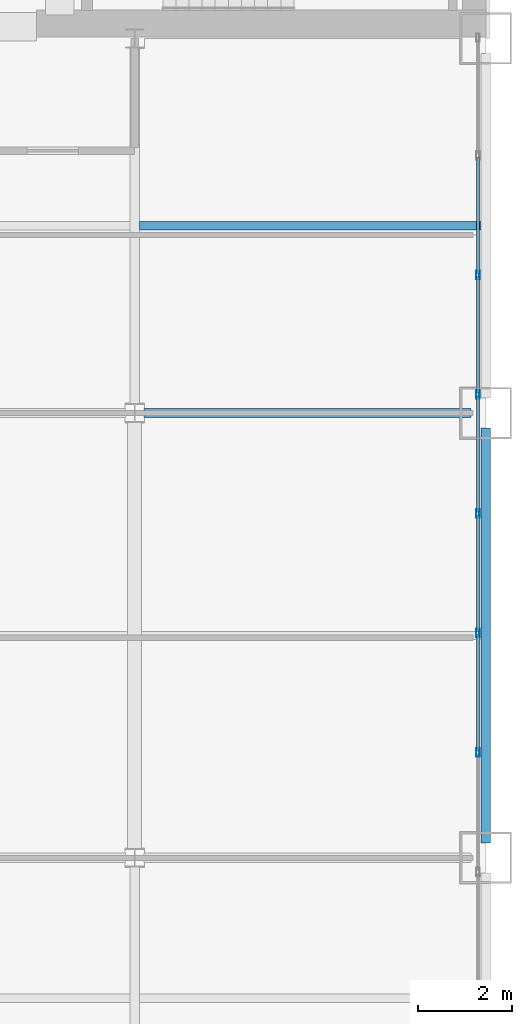
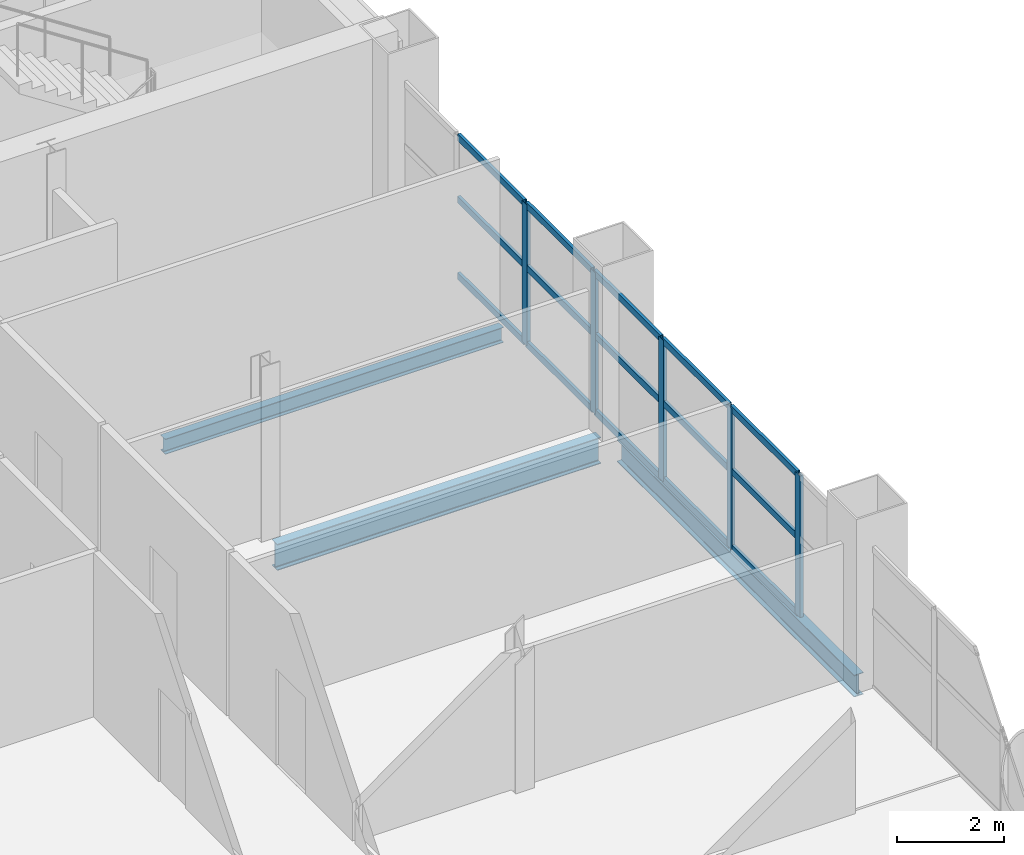
# One storey, part 7 of 16: 20 members, 3 beams, 1 element without a shape of its own.
"""IFC4 building model written with IfcOpenShell, lengths in metres."""

from ifc_helpers import new_model, si_unit, direction, frame, origin, origin_2d, place, context, subcontext, project, spatial, hollow_rectangle, i_section, extrude, material, layer, layer_set, material_profile, profile_set, type_object, element, aggregate, save


model = new_model("IFC4")

# Units and contexts
model_context = context("Model", 3, precision=1e-05, world=origin(), true_north=direction((0.0, 1.0)))
body_context = subcontext(model_context, "Body", "Model", "MODEL_VIEW")
ifc_project = project(units=[si_unit("LENGTHUNIT", "METRE"), si_unit("AREAUNIT", "SQUARE_METRE"), si_unit("VOLUMEUNIT", "CUBIC_METRE"), si_unit("PLANEANGLEUNIT", "RADIAN"), si_unit("MASSUNIT", "GRAM", prefix="KILO")], contexts=[model_context])

# Site, building, storey
site_placement = place(None, origin())
site = spatial("IfcSite", under=ifc_project, at=site_placement, CompositionType="ELEMENT")
building_placement = place(site_placement, origin())
building = spatial("IfcBuilding", under=site, at=building_placement, Name="Qianrong Seaharbour Tower", CompositionType="ELEMENT")
storey_placement = place(building_placement, frame((0.0, 0.0, 123.0)))
storey = spatial("IfcBuildingStorey", under=building, at=storey_placement, Name="L29", CompositionType="ELEMENT", Elevation=123.0)

# Beams
ifc_material_1 = material(Name="Structural steel SN490B", Category="steel")
ifc_material_profile_1 = material_profile(ifc_material_1, i_section(OverallWidth=0.199951171875, OverallDepth=0.60009765625, WebThickness=0.010986328125, FlangeThickness=0.01708984375, FilletRadius=0.02197265625, at=origin_2d()), Name="H600x200x11x17")
ifc_profile_set_1 = profile_set([ifc_material_profile_1], Name="Structural steel SN490B")
beam_type_1 = type_object("IfcBeamType", Name="BM-G-600", PredefinedType="BEAM", material=ifc_profile_set_1)
beam_1_placement = place(storey_placement, frame((56.699951171875, 28.0, -0.534912109375), z_axis=(1.0, 0.0, 0.0), x_axis=(0.0, 1.0, 0.0)))
element("IfcBeam", 1, at=beam_1_placement, inside=storey, type_object=beam_type_1, Name="L29 Primary Girder GE G8-G9", PredefinedType="BEAM", context=body_context, shape_type="SweptSolid", body=[
    extrude(i_section(OverallWidth=0.199951171875, OverallDepth=0.60009765625, WebThickness=0.010986328125, FlangeThickness=0.01708984375, FilletRadius=0.02197265625, at=origin_2d()), origin(), (0.0, 0.0, 1.0), 6.97998046875),
])
ifc_material_2 = material(Name="Structural steel SN400B", Category="steel")
ifc_material_profile_2 = material_profile(ifc_material_2, i_section(OverallWidth=0.175048828125, OverallDepth=0.35009765625, WebThickness=0.007080078125, FlangeThickness=0.010986328125, FilletRadius=0.013916015625, at=origin_2d()), Name="H350x175x7x11")
ifc_profile_set_2 = profile_set([ifc_material_profile_2], Name="Structural steel SN400B")
beam_type_2 = type_object("IfcBeamType", Name="BM-J-350", PredefinedType="JOIST", material=ifc_profile_set_2)
beam_2_placement = place(storey_placement, frame((56.60009765625, 32.0, -0.409912109375), z_axis=(1.0, 0.0, 0.0), x_axis=(0.0, 1.0, 0.0)))
element("IfcBeam", 2, at=beam_2_placement, inside=storey, type_object=beam_type_2, Name="L29 Composite Floor Joist G8-G9/GE-GF", PredefinedType="JOIST", context=body_context, shape_type="SweptSolid", body=[
    extrude(i_section(OverallWidth=0.175048828125, OverallDepth=0.35009765625, WebThickness=0.007080078125, FlangeThickness=0.010986328125, FilletRadius=0.013916015625, at=origin_2d()), origin(), (0.0, 0.0, 1.0), 7.2998046875),
])
ifc_material_profile_3 = material_profile(ifc_material_1, i_section(OverallWidth=0.199951171875, OverallDepth=0.5, WebThickness=0.010009765625, FlangeThickness=0.01611328125, FilletRadius=0.02001953125, at=origin_2d()), Name="H500x200x10x16")
ifc_profile_set_3 = profile_set([ifc_material_profile_3], Name="Structural steel SN490B")
beam_type_3 = type_object("IfcBeamType", Name="BM-SP-500", PredefinedType="SPANDREL", material=ifc_profile_set_3)
beam_3_placement = place(storey_placement, frame((64.0, 18.820068359375, -0.485107421875), z_axis=(0.0, 1.0, 0.0), x_axis=(-1.0, 0.0, 0.0)))
element("IfcBeam", 3, at=beam_3_placement, inside=storey, type_object=beam_type_3, Name="L29 Spandrel Girder G9 GD-GE", PredefinedType="SPANDREL", context=body_context, shape_type="SweptSolid", body=[
    extrude(i_section(OverallWidth=0.199951171875, OverallDepth=0.5, WebThickness=0.010009765625, FlangeThickness=0.01611328125, FilletRadius=0.02001953125, at=origin_2d()), origin(), (0.0, 0.0, 1.0), 8.85986328125),
])

# Curtain wall, members
ifc_material_3 = material(Name="Anodised aluminium 6063-T6 and laminated low-e glass", Category="aluminium")
ifc_layer = layer(ifc_material_3, 0.195068359375)
ifc_layer_set = layer_set([ifc_layer], Name="Anodised aluminium 6063-T6 and laminated low-e glass")
curtain_wall_type = type_object("IfcCurtainWallType", Name="CW-SYS-3", PredefinedType="NOTDEFINED", material=ifc_layer_set)
curtain_wall_placement = place(storey_placement, origin())
curtain_wall = element("IfcCurtainWall", 4, at=curtain_wall_placement, inside=storey, type_object=curtain_wall_type, Name="L29 Sky-Garden Wintergarden Curtain Wall EAST_WING", PredefinedType="NOTDEFINED")
ifc_material_4 = material(Name="Extruded aluminium 6063-T6", Category="aluminium")
ifc_material_profile_4 = material_profile(ifc_material_4, hollow_rectangle(XDim=0.070068359375, YDim=0.179931640625, WallThickness=0.00390625, at=origin_2d()), Name="ALU-MUL-180x70x4")
ifc_profile_set_4 = profile_set([ifc_material_profile_4], Name="Extruded aluminium 6063-T6")
member_type_1 = type_object("IfcMemberType", Name="CW-MUL-180", PredefinedType="MULLION", material=ifc_profile_set_4)
member_1_placement = place(storey_placement, frame((63.830078125, 30.949951171875, 0.0), z_axis=(0.0, 0.0, 1.0), x_axis=(1.0, 0.0, 0.0)))
member_1 = element("IfcMember", 5, at=member_1_placement, type_object=member_type_1, Name="CW-3 mullion 3", PredefinedType="MULLION", context=body_context, shape_type="SweptSolid", body=[
    extrude(hollow_rectangle(XDim=0.070068359375, YDim=0.179931640625, WallThickness=0.00390625, at=origin_2d()), origin(), (0.0, 0.0, 1.0), 3.22509765625),
])
member_2_placement = place(storey_placement, frame((63.830078125, 28.39990234375, 0.0), z_axis=(0.0, 0.0, 1.0), x_axis=(1.0, 0.0, 0.0)))
member_2 = element("IfcMember", 6, at=member_2_placement, type_object=member_type_1, Name="CW-3 mullion 4", PredefinedType="MULLION", context=body_context, shape_type="SweptSolid", body=[
    extrude(hollow_rectangle(XDim=0.070068359375, YDim=0.179931640625, WallThickness=0.00390625, at=origin_2d()), origin(), (0.0, 0.0, 1.0), 3.22509765625),
])
member_3_placement = place(storey_placement, frame((63.830078125, 25.85009765625, 0.0), z_axis=(0.0, 0.0, 1.0), x_axis=(1.0, 0.0, 0.0)))
member_3 = element("IfcMember", 7, at=member_3_placement, type_object=member_type_1, Name="CW-3 mullion 5", PredefinedType="MULLION", context=body_context, shape_type="SweptSolid", body=[
    extrude(hollow_rectangle(XDim=0.070068359375, YDim=0.179931640625, WallThickness=0.00390625, at=origin_2d()), origin(), (0.0, 0.0, 1.0), 3.22509765625),
])
member_4_placement = place(storey_placement, frame((63.830078125, 23.300048828125, 0.0), z_axis=(0.0, 0.0, 1.0), x_axis=(1.0, 0.0, 0.0)))
member_4 = element("IfcMember", 8, at=member_4_placement, type_object=member_type_1, Name="CW-3 mullion 6", PredefinedType="MULLION", context=body_context, shape_type="SweptSolid", body=[
    extrude(hollow_rectangle(XDim=0.070068359375, YDim=0.179931640625, WallThickness=0.00390625, at=origin_2d()), origin(), (0.0, 0.0, 1.0), 3.22509765625),
])
member_5_placement = place(storey_placement, frame((63.830078125, 20.75, 0.0), z_axis=(0.0, 0.0, 1.0), x_axis=(1.0, 0.0, 0.0)))
member_5 = element("IfcMember", 9, at=member_5_placement, type_object=member_type_1, Name="CW-3 mullion 7", PredefinedType="MULLION", context=body_context, shape_type="SweptSolid", body=[
    extrude(hollow_rectangle(XDim=0.070068359375, YDim=0.179931640625, WallThickness=0.00390625, at=origin_2d()), origin(), (0.0, 0.0, 1.0), 3.22509765625),
])
ifc_material_profile_5 = material_profile(ifc_material_4, hollow_rectangle(XDim=0.06494140625, YDim=0.14990234375, WallThickness=0.00390625, at=origin_2d()), Name="ALU-TRN-150x65x4")
ifc_profile_set_5 = profile_set([ifc_material_profile_5], Name="Extruded aluminium 6063-T6")
member_type_2 = type_object("IfcMemberType", Name="CW-TRN-150", PredefinedType="USERDEFINED", material=ifc_profile_set_5)
member_6_placement = place(storey_placement, frame((63.830078125, 33.465087890625, 0.032470703125), z_axis=(0.0, -1.0, 0.0), x_axis=(1.0, 0.0, 0.0)))
member_6 = element("IfcMember", 10, at=member_6_placement, type_object=member_type_2, Name="CW-3 transom 2.1", ObjectType="TRANSOM", PredefinedType="USERDEFINED", context=body_context, shape_type="SweptSolid", body=[
    extrude(hollow_rectangle(XDim=0.06494140625, YDim=0.14990234375, WallThickness=0.00390625, at=origin_2d()), origin(), (0.0, 0.0, 1.0), 2.47998046875),
])
member_7_placement = place(storey_placement, frame((63.830078125, 33.465087890625, 1.773681640625), z_axis=(0.0, -1.0, 0.0), x_axis=(1.0, 0.0, 0.0)))
member_7 = element("IfcMember", 11, at=member_7_placement, type_object=member_type_2, Name="CW-3 transom 2.2", ObjectType="TRANSOM", PredefinedType="USERDEFINED", context=body_context, shape_type="SweptSolid", body=[
    extrude(hollow_rectangle(XDim=0.06494140625, YDim=0.14990234375, WallThickness=0.00390625, at=origin_2d()), origin(), (0.0, 0.0, 1.0), 2.47998046875),
])
member_8_placement = place(storey_placement, frame((63.830078125, 33.465087890625, 3.1923828125), z_axis=(0.0, -1.0, 0.0), x_axis=(1.0, 0.0, 0.0)))
member_8 = element("IfcMember", 12, at=member_8_placement, type_object=member_type_2, Name="CW-3 transom 2.3", ObjectType="TRANSOM", PredefinedType="USERDEFINED", context=body_context, shape_type="SweptSolid", body=[
    extrude(hollow_rectangle(XDim=0.06494140625, YDim=0.14990234375, WallThickness=0.00390625, at=origin_2d()), origin(), (0.0, 0.0, 1.0), 2.47998046875),
])
member_9_placement = place(storey_placement, frame((63.830078125, 30.9150390625, 0.032470703125), z_axis=(0.0, -1.0, 0.0), x_axis=(1.0, 0.0, 0.0)))
member_9 = element("IfcMember", 13, at=member_9_placement, type_object=member_type_2, Name="CW-3 transom 3.1", ObjectType="TRANSOM", PredefinedType="USERDEFINED", context=body_context, shape_type="SweptSolid", body=[
    extrude(hollow_rectangle(XDim=0.06494140625, YDim=0.14990234375, WallThickness=0.00390625, at=origin_2d()), origin(), (0.0, 0.0, 1.0), 2.47998046875),
])
member_10_placement = place(storey_placement, frame((63.830078125, 30.9150390625, 1.773681640625), z_axis=(0.0, -1.0, 0.0), x_axis=(1.0, 0.0, 0.0)))
member_10 = element("IfcMember", 14, at=member_10_placement, type_object=member_type_2, Name="CW-3 transom 3.2", ObjectType="TRANSOM", PredefinedType="USERDEFINED", context=body_context, shape_type="SweptSolid", body=[
    extrude(hollow_rectangle(XDim=0.06494140625, YDim=0.14990234375, WallThickness=0.00390625, at=origin_2d()), origin(), (0.0, 0.0, 1.0), 2.47998046875),
])
member_11_placement = place(storey_placement, frame((63.830078125, 30.9150390625, 3.1923828125), z_axis=(0.0, -1.0, 0.0), x_axis=(1.0, 0.0, 0.0)))
member_11 = element("IfcMember", 15, at=member_11_placement, type_object=member_type_2, Name="CW-3 transom 3.3", ObjectType="TRANSOM", PredefinedType="USERDEFINED", context=body_context, shape_type="SweptSolid", body=[
    extrude(hollow_rectangle(XDim=0.06494140625, YDim=0.14990234375, WallThickness=0.00390625, at=origin_2d()), origin(), (0.0, 0.0, 1.0), 2.47998046875),
])
member_12_placement = place(storey_placement, frame((63.830078125, 28.364990234375, 0.032470703125), z_axis=(0.0, -1.0, 0.0), x_axis=(1.0, 0.0, 0.0)))
member_12 = element("IfcMember", 16, at=member_12_placement, type_object=member_type_2, Name="CW-3 transom 4.1", ObjectType="TRANSOM", PredefinedType="USERDEFINED", context=body_context, shape_type="SweptSolid", body=[
    extrude(hollow_rectangle(XDim=0.06494140625, YDim=0.14990234375, WallThickness=0.00390625, at=origin_2d()), origin(), (0.0, 0.0, 1.0), 2.47998046875),
])
member_13_placement = place(storey_placement, frame((63.830078125, 28.364990234375, 1.773681640625), z_axis=(0.0, -1.0, 0.0), x_axis=(1.0, 0.0, 0.0)))
member_13 = element("IfcMember", 17, at=member_13_placement, type_object=member_type_2, Name="CW-3 transom 4.2", ObjectType="TRANSOM", PredefinedType="USERDEFINED", context=body_context, shape_type="SweptSolid", body=[
    extrude(hollow_rectangle(XDim=0.06494140625, YDim=0.14990234375, WallThickness=0.00390625, at=origin_2d()), origin(), (0.0, 0.0, 1.0), 2.47998046875),
])
member_14_placement = place(storey_placement, frame((63.830078125, 28.364990234375, 3.1923828125), z_axis=(0.0, -1.0, 0.0), x_axis=(1.0, 0.0, 0.0)))
member_14 = element("IfcMember", 18, at=member_14_placement, type_object=member_type_2, Name="CW-3 transom 4.3", ObjectType="TRANSOM", PredefinedType="USERDEFINED", context=body_context, shape_type="SweptSolid", body=[
    extrude(hollow_rectangle(XDim=0.06494140625, YDim=0.14990234375, WallThickness=0.00390625, at=origin_2d()), origin(), (0.0, 0.0, 1.0), 2.47998046875),
])
member_15_placement = place(storey_placement, frame((63.830078125, 25.81494140625, 0.032470703125), z_axis=(0.0, -1.0, 0.0), x_axis=(1.0, 0.0, 0.0)))
member_15 = element("IfcMember", 19, at=member_15_placement, type_object=member_type_2, Name="CW-3 transom 5.1", ObjectType="TRANSOM", PredefinedType="USERDEFINED", context=body_context, shape_type="SweptSolid", body=[
    extrude(hollow_rectangle(XDim=0.06494140625, YDim=0.14990234375, WallThickness=0.00390625, at=origin_2d()), origin(), (0.0, 0.0, 1.0), 2.47998046875),
])
member_16_placement = place(storey_placement, frame((63.830078125, 25.81494140625, 1.773681640625), z_axis=(0.0, -1.0, 0.0), x_axis=(1.0, 0.0, 0.0)))
member_16 = element("IfcMember", 20, at=member_16_placement, type_object=member_type_2, Name="CW-3 transom 5.2", ObjectType="TRANSOM", PredefinedType="USERDEFINED", context=body_context, shape_type="SweptSolid", body=[
    extrude(hollow_rectangle(XDim=0.06494140625, YDim=0.14990234375, WallThickness=0.00390625, at=origin_2d()), origin(), (0.0, 0.0, 1.0), 2.47998046875),
])
member_17_placement = place(storey_placement, frame((63.830078125, 25.81494140625, 3.1923828125), z_axis=(0.0, -1.0, 0.0), x_axis=(1.0, 0.0, 0.0)))
member_17 = element("IfcMember", 21, at=member_17_placement, type_object=member_type_2, Name="CW-3 transom 5.3", ObjectType="TRANSOM", PredefinedType="USERDEFINED", context=body_context, shape_type="SweptSolid", body=[
    extrude(hollow_rectangle(XDim=0.06494140625, YDim=0.14990234375, WallThickness=0.00390625, at=origin_2d()), origin(), (0.0, 0.0, 1.0), 2.47998046875),
])
member_18_placement = place(storey_placement, frame((63.830078125, 23.264892578125, 0.032470703125), z_axis=(0.0, -1.0, 0.0), x_axis=(1.0, 0.0, 0.0)))
member_18 = element("IfcMember", 22, at=member_18_placement, type_object=member_type_2, Name="CW-3 transom 6.1", ObjectType="TRANSOM", PredefinedType="USERDEFINED", context=body_context, shape_type="SweptSolid", body=[
    extrude(hollow_rectangle(XDim=0.06494140625, YDim=0.14990234375, WallThickness=0.00390625, at=origin_2d()), origin(), (0.0, 0.0, 1.0), 2.47998046875),
])
member_19_placement = place(storey_placement, frame((63.830078125, 23.264892578125, 1.773681640625), z_axis=(0.0, -1.0, 0.0), x_axis=(1.0, 0.0, 0.0)))
member_19 = element("IfcMember", 23, at=member_19_placement, type_object=member_type_2, Name="CW-3 transom 6.2", ObjectType="TRANSOM", PredefinedType="USERDEFINED", context=body_context, shape_type="SweptSolid", body=[
    extrude(hollow_rectangle(XDim=0.06494140625, YDim=0.14990234375, WallThickness=0.00390625, at=origin_2d()), origin(), (0.0, 0.0, 1.0), 2.47998046875),
])
member_20_placement = place(storey_placement, frame((63.830078125, 23.264892578125, 3.1923828125), z_axis=(0.0, -1.0, 0.0), x_axis=(1.0, 0.0, 0.0)))
member_20 = element("IfcMember", 24, at=member_20_placement, type_object=member_type_2, Name="CW-3 transom 6.3", ObjectType="TRANSOM", PredefinedType="USERDEFINED", context=body_context, shape_type="SweptSolid", body=[
    extrude(hollow_rectangle(XDim=0.06494140625, YDim=0.14990234375, WallThickness=0.00390625, at=origin_2d()), origin(), (0.0, 0.0, 1.0), 2.47998046875),
])
aggregate(curtain_wall, [member_1, member_2, member_3, member_4, member_5, member_6, member_7, member_8, member_9, member_10, member_11, member_12, member_13, member_14, member_15, member_16, member_17, member_18, member_19, member_20])

save(model, "model.ifc")
